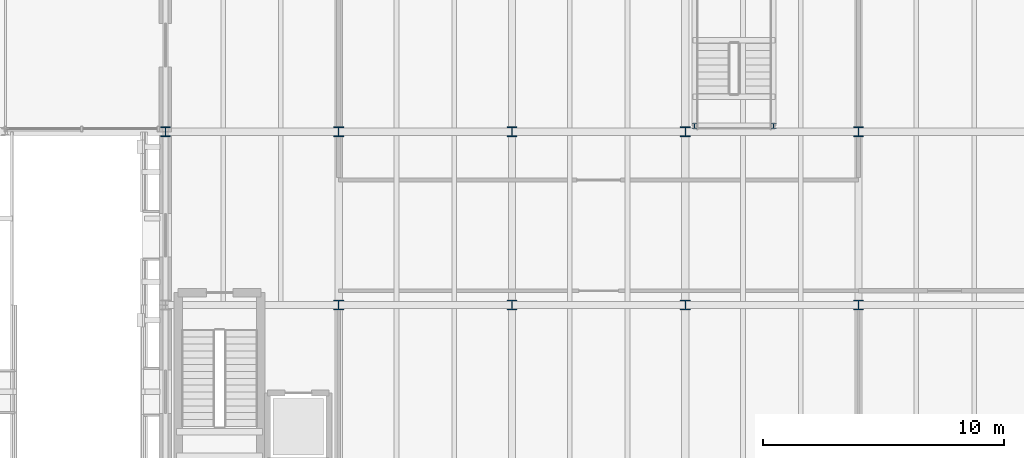
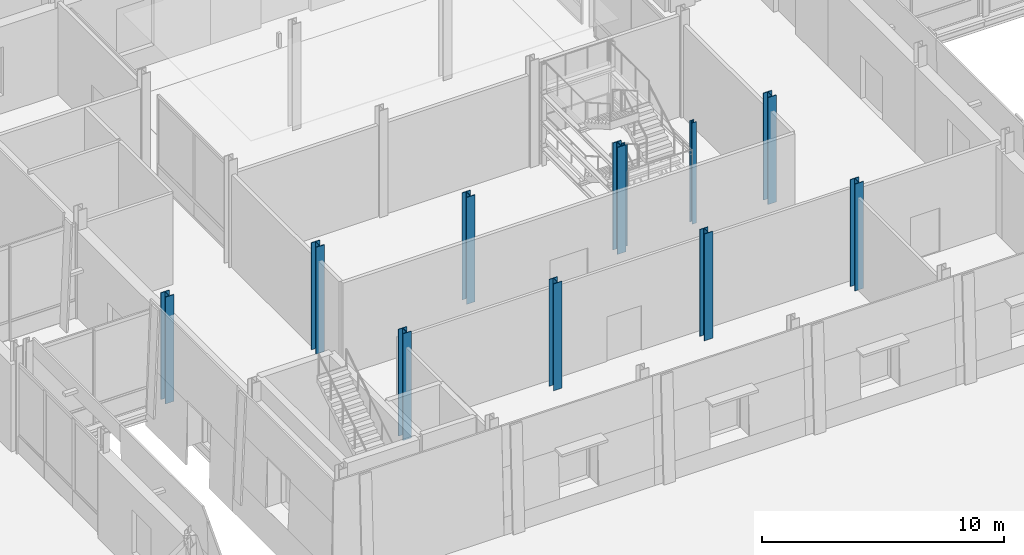
# One storey, part 12 of 120: 11 columns.
"""IFC4 building model written with IfcOpenShell, lengths in metres."""

from ifc_helpers import new_model, si_unit, direction, frame, origin, origin_2d, place, context, subcontext, project, spatial, i_section, extrude, material, material_profile, profile_set, type_object, element, save


model = new_model("IFC4")

# Units and contexts
model_context = context("Model", 3, precision=1e-05, world=origin(), true_north=direction((0.0, 1.0)))
body_context = subcontext(model_context, "Body", "Model", "MODEL_VIEW")
ifc_project = project(units=[si_unit("LENGTHUNIT", "METRE"), si_unit("AREAUNIT", "SQUARE_METRE"), si_unit("VOLUMEUNIT", "CUBIC_METRE"), si_unit("PLANEANGLEUNIT", "RADIAN"), si_unit("MASSUNIT", "GRAM", prefix="KILO")], contexts=[model_context])

# Site, building, storey
site_placement = place(None, origin())
site = spatial("IfcSite", under=ifc_project, at=site_placement, CompositionType="ELEMENT")
building_placement = place(site_placement, origin())
building = spatial("IfcBuilding", under=site, at=building_placement, Name="Narikvali Park Central Library", CompositionType="ELEMENT")
storey_placement = place(building_placement, origin())
storey = spatial("IfcBuildingStorey", under=building, at=storey_placement, Name="L00", CompositionType="ELEMENT", Elevation=0.0)

# Columns
ifc_material = material(Name="Steel S355", Category="steel")
ifc_material_profile_1 = material_profile(ifc_material, i_section(OverallWidth=0.404052734375, OverallDepth=0.406982421875, WebThickness=0.02001953125, FlangeThickness=0.031982421875, FilletRadius=0.014892578125, at=origin_2d()), Name="HD 400x347")
ifc_profile_set_1 = profile_set([ifc_material_profile_1], Name="Steel S355")
column_type_1 = type_object("IfcColumnType", Name="Rotunda Interior Column HD400x347", PredefinedType="COLUMN", material=ifc_profile_set_1)
for number, where, z_axis, x_axis, name in (
    (1, (72.0, 64.800048828125, 0.0), (0.0, 0.0, 1.0), (1.0, 0.0, 0.0), "V1 L00 Column (72.0,64.8)"),
    (2, (72.0, 72.0, 0.0), (0.0, 0.0, 1.0), (1.0, 0.0, 0.0), "V1 L00 Column (72.0,72.0)"),
    (3, (79.199951171875, 64.800048828125, 0.0), (0.0, 0.0, 1.0), (1.0, 0.0, 0.0), "V1 L00 Column (79.2,64.8)"),
    (4, (79.199951171875, 72.0, 0.0), (0.0, 0.0, 1.0), (1.0, 0.0, 0.0), "V1 L00 Column (79.2,72.0)"),
    (5, (86.39990234375, 64.800048828125, 0.0), (0.0, 0.0, 1.0), (1.0, 0.0, 0.0), "V1 L00 Column (86.4,64.8)"),
    (6, (86.39990234375, 72.0, 0.0), (0.0, 0.0, 1.0), (1.0, 0.0, 0.0), "V1 L00 Column (86.4,72.0)"),
    (7, (93.60009765625, 64.800048828125, 0.0), (0.0, 0.0, 1.0), (1.0, 0.0, 0.0), "V1 L00 Column (93.6,64.8)"),
    (8, (93.60009765625, 72.0, 0.0), (0.0, 0.0, 1.0), (1.0, 0.0, 0.0), "V1 L00 Column (93.6,72.0)"),
):
    element("IfcColumn", number, at=place(storey_placement, frame(where, z_axis=z_axis, x_axis=x_axis)), inside=storey, type_object=column_type_1, Name=name, PredefinedType="COLUMN", context=body_context, shape_type="SweptSolid", body=[
        extrude(i_section(OverallWidth=0.404052734375, OverallDepth=0.406982421875, WebThickness=0.02001953125, FlangeThickness=0.031982421875, FilletRadius=0.014892578125, at=origin_2d()), origin(), (0.0, 0.0, 1.0), 5.39990234375),
    ])
ifc_material_profile_2 = material_profile(ifc_material, i_section(OverallWidth=0.40087890625, OverallDepth=0.39892578125, WebThickness=0.0185546875, FlangeThickness=0.029052734375, FilletRadius=0.014892578125, at=origin_2d()), Name="HD 400x314")
ifc_profile_set_2 = profile_set([ifc_material_profile_2], Name="Steel S355")
column_type_2 = type_object("IfcColumnType", Name="Steel Column HD400x314", PredefinedType="COLUMN", material=ifc_profile_set_2)
column_placement = place(storey_placement, frame((64.800048828125, 72.0, 0.0), z_axis=(0.0, 0.0, 1.0), x_axis=(1.0, 0.0, 0.0)))
element("IfcColumn", 9, at=column_placement, inside=storey, type_object=column_type_2, Name="V1 L00 Column (64.8,72.0)", PredefinedType="COLUMN", context=body_context, shape_type="SweptSolid", body=[
    extrude(i_section(OverallWidth=0.40087890625, OverallDepth=0.39892578125, WebThickness=0.0185546875, FlangeThickness=0.029052734375, FilletRadius=0.014892578125, at=origin_2d()), origin(), (0.0, 0.0, 1.0), 5.39990234375),
])
ifc_material_profile_3 = material_profile(ifc_material, i_section(OverallWidth=0.199951171875, OverallDepth=0.199951171875, WebThickness=0.009033203125, FlangeThickness=0.014892578125, FilletRadius=0.01806640625, at=origin_2d()), Name="HEB 200")
ifc_profile_set_3 = profile_set([ifc_material_profile_3], Name="Steel S355")
column_type_3 = type_object("IfcColumnType", Name="Steel Column HEB200", PredefinedType="COLUMN", material=ifc_profile_set_3)
for number, where, z_axis, x_axis, name in (
    (10, (86.780029296875, 72.239990234375, 0.0), (0.0, 0.0, 1.0), (1.0, 0.0, 0.0), "ST-13 Support Post L00 SW"),
    (11, (90.070068359375, 72.239990234375, 0.0), (0.0, 0.0, 1.0), (1.0, 0.0, 0.0), "ST-13 Support Post L00 SE"),
):
    element("IfcColumn", number, at=place(storey_placement, frame(where, z_axis=z_axis, x_axis=x_axis)), inside=storey, type_object=column_type_3, Name=name, PredefinedType="COLUMN", context=body_context, shape_type="SweptSolid", body=[
        extrude(i_section(OverallWidth=0.199951171875, OverallDepth=0.199951171875, WebThickness=0.009033203125, FlangeThickness=0.014892578125, FilletRadius=0.01806640625, at=origin_2d()), origin(), (0.0, 0.0, 1.0), 5.1201171875),
    ])

save(model, "model.ifc")
